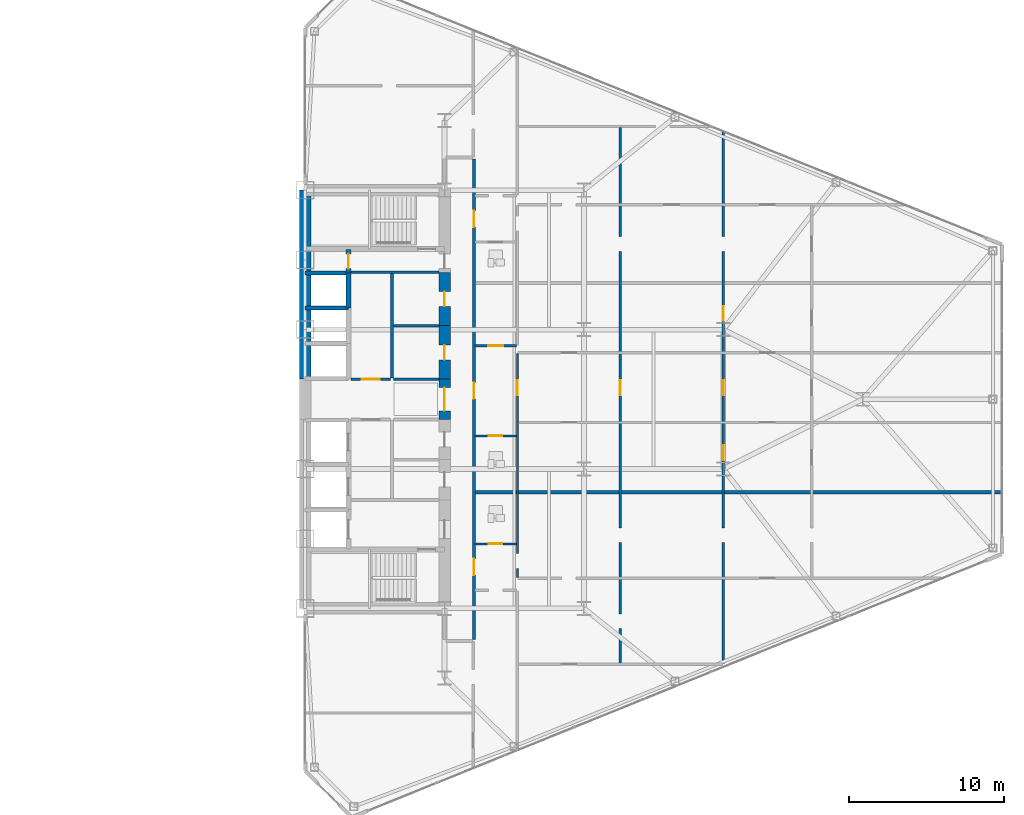
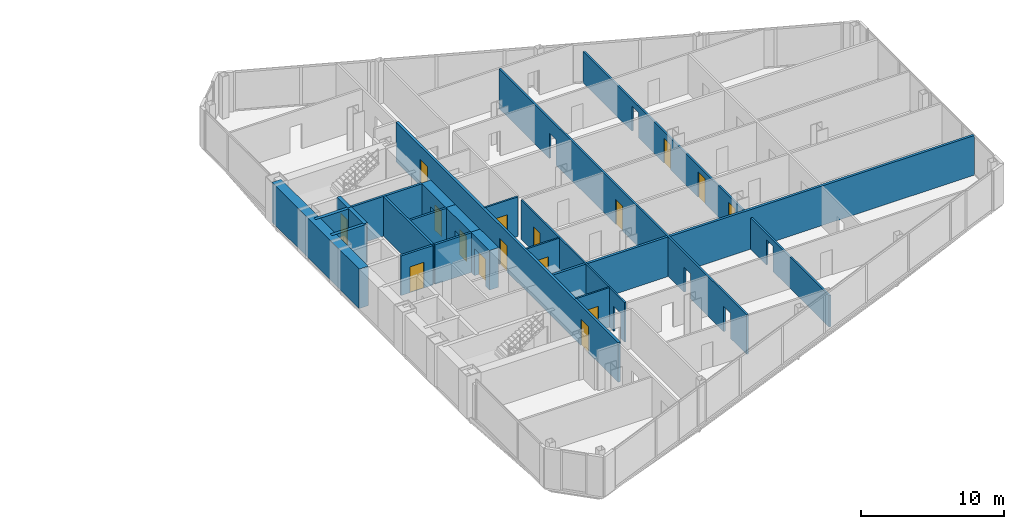
# One storey, part 21 of 25: 21 walls, 16 doors, 22 openings.
"""IFC4 building model written with IfcOpenShell, lengths in metres."""

from ifc_helpers import new_model, si_unit, direction, frame, frame_2d, origin, place, context, subcontext, project, spatial, rectangle, extrude, source, transform, mapped, material, layer, layer_set, type_object, type_shapes, element, fill, save


model = new_model("IFC4")

# Units and contexts
model_context = context("Model", 3, precision=1e-05, world=origin(), true_north=direction((0.0, 1.0)))
body_context = subcontext(model_context, "Body", "Model", "MODEL_VIEW")
ifc_project = project(units=[si_unit("LENGTHUNIT", "METRE"), si_unit("AREAUNIT", "SQUARE_METRE"), si_unit("VOLUMEUNIT", "CUBIC_METRE"), si_unit("PLANEANGLEUNIT", "RADIAN"), si_unit("MASSUNIT", "GRAM", prefix="KILO")], contexts=[model_context])

# Site, building, storey
site_placement = place(None, origin())
site = spatial("IfcSite", under=ifc_project, at=site_placement, CompositionType="ELEMENT")
building_placement = place(site_placement, origin())
building = spatial("IfcBuilding", under=site, at=building_placement, Name="Seokmaru Belvedere", CompositionType="ELEMENT")
storey_placement = place(building_placement, frame((0.0, 0.0, 26.10009765625)))
storey = spatial("IfcBuildingStorey", under=building, at=storey_placement, Name="L06", CompositionType="ELEMENT", Elevation=26.10009765625)

# Wall, opening, door
ifc_material_1 = material(Name="Fire-Rated Gypsum Shaftwall")
ifc_layer_1 = layer(ifc_material_1, 0.14990234375)
ifc_layer_set_1 = layer_set([ifc_layer_1], Name="Fire-Rated Gypsum Shaftwall")
wall_type_1 = type_object("IfcWallType", Name="Apartment Fire-Acoustic Room Partition 150", PredefinedType="PARTITIONING", material=ifc_layer_set_1)
wall_1_placement = place(storey_placement, frame((38.449951171875, 3.449951171875, 0.0), z_axis=(0.0, 0.0, 1.0), x_axis=(1.0, 0.0, 0.0)))
wall_1 = element("IfcWall", 1, at=wall_1_placement, inside=storey, type_object=wall_type_1, Name="L06 Interior Partition 022", PredefinedType="PARTITIONING", context=body_context, shape_type="SweptSolid", body=[
    extrude(rectangle(XDim=2.699951171875, YDim=0.14990234375, at=frame_2d((1.35009765625, 0.0))), origin(), (0.0, 0.0, 1.0), 3.3798828125),
])
opening_1_placement = place(wall_1_placement, frame((0.875, 0.0, 0.0)))
opening_1 = element("IfcOpeningElement", 2, at=opening_1_placement, cuts=wall_1, Name="Opening D05", PredefinedType="OPENING", context=body_context, shape_type="SweptSolid", body=[
    extrude(rectangle(XDim=0.949951171875, YDim=2.14990234375, at=frame_2d((0.47509765625, 1.074951171875))), frame((0.0, 0.0849609375, 0.0), z_axis=(0.0, -1.0, 0.0), x_axis=(1.0, 0.0, 0.0)), (0.0, 0.0, 1.0), 0.169921875),
])
ifc_material_2 = material(Name="Engineered White Oak Timber", Category="wood")
door_type_1 = type_object("IfcDoorType", Name="Apartment Interior Fire-Rated Oak Door 950x2150", OperationType="NOTDEFINED", PredefinedType="DOOR", material=ifc_material_2)
shared_shape_1 = source(origin(), body_context, "Body", "SweptSolid", [
    extrude(rectangle(XDim=0.949951171875, YDim=2.14990234375, at=frame_2d((0.47509765625, 1.074951171875))), frame((0.0, 0.02490234375, 0.0), z_axis=(0.0, -1.0, 0.0), x_axis=(1.0, 0.0, 0.0)), (0.0, 0.0, 1.0), 0.050048828125),
])
type_shapes(door_type_1, [shared_shape_1])
door_1_placement = place(opening_1_placement, origin())
door_1 = element("IfcDoor", 3, at=door_1_placement, inside=storey, type_object=door_type_1, Name="L06 Interior Door 053", OperationType="SINGLE_SWING_RIGHT", OverallHeight=2.14990234375, OverallWidth=0.949951171875, PredefinedType="DOOR", context=body_context, shape_type="MappedRepresentation", body=[
    mapped(shared_shape_1, transform((0.0, 0.0, 0.0), scale=1.0)),
])
fill(opening_1, door_1)

# Wall, openings, door
wall_2_placement = place(storey_placement, frame((47.85009765625, -17.06298828125, 0.0), z_axis=(0.0, 0.0, 1.0), x_axis=(0.0, 1.0, 0.0)))
wall_2 = element("IfcWall", 4, at=wall_2_placement, inside=storey, type_object=wall_type_1, Name="L06 Interior Partition 059", PredefinedType="PARTITIONING", context=body_context, shape_type="SweptSolid", body=[
    extrude(rectangle(XDim=34.6259765625, YDim=0.14990234375, at=frame_2d((17.31298828125, 0.0))), origin(), (0.0, 0.0, 1.0), 3.3798828125),
])
opening_2_placement = place(wall_2_placement, frame((7.809814453125, 0.0, 0.0)))
element("IfcOpeningElement", 5, at=opening_2_placement, cuts=wall_2, Name="L06 Cased Opening 043", PredefinedType="OPENING", context=body_context, shape_type="SweptSolid", body=[
    extrude(rectangle(XDim=0.949951171875, YDim=2.14990234375, at=frame_2d((0.47509765625, 1.074951171875))), frame((0.0, 0.0849609375, 0.0), z_axis=(0.0, -1.0, 0.0), x_axis=(1.0, 0.0, 0.0)), (0.0, 0.0, 1.0), 0.169921875),
])
opening_3_placement = place(wall_2_placement, frame((2.25341796875, 0.0, 0.0)))
element("IfcOpeningElement", 6, at=opening_3_placement, cuts=wall_2, Name="L06 Cased Opening 048", PredefinedType="OPENING", context=body_context, shape_type="SweptSolid", body=[
    extrude(rectangle(XDim=0.949951171875, YDim=2.14990234375, at=frame_2d((0.47509765625, 1.074951171875))), frame((0.0, 0.0849609375, 0.0), z_axis=(0.0, -1.0, 0.0), x_axis=(1.0, 0.0, 0.0)), (0.0, 0.0, 1.0), 0.169921875),
])
opening_4_placement = place(wall_2_placement, frame((17.337890625, 0.0, 0.0)))
opening_4 = element("IfcOpeningElement", 7, at=opening_4_placement, cuts=wall_2, Name="Opening D05", PredefinedType="OPENING", context=body_context, shape_type="SweptSolid", body=[
    extrude(rectangle(XDim=0.949951171875, YDim=2.14990234375, at=frame_2d((0.47509765625, 1.074951171875))), frame((0.0, 0.0849609375, 0.0), z_axis=(0.0, -1.0, 0.0), x_axis=(1.0, 0.0, 0.0)), (0.0, 0.0, 1.0), 0.169921875),
])
opening_5_placement = place(wall_2_placement, frame((26.6162109375, 0.0, 0.0)))
element("IfcOpeningElement", 8, at=opening_5_placement, cuts=wall_2, Name="L06 Cased Opening 070", PredefinedType="OPENING", context=body_context, shape_type="SweptSolid", body=[
    extrude(rectangle(XDim=0.949951171875, YDim=2.14990234375, at=frame_2d((0.47509765625, 1.074951171875))), frame((0.0, 0.0849609375, 0.0), z_axis=(0.0, -1.0, 0.0), x_axis=(1.0, 0.0, 0.0)), (0.0, 0.0, 1.0), 0.169921875),
])
door_2_placement = place(opening_4_placement, origin())
door_2 = element("IfcDoor", 9, at=door_2_placement, inside=storey, type_object=door_type_1, Name="L06 Interior Door 056", OperationType="SINGLE_SWING_LEFT", OverallHeight=2.14990234375, OverallWidth=0.949951171875, PredefinedType="DOOR", context=body_context, shape_type="MappedRepresentation", body=[
    mapped(shared_shape_1, transform((0.0, 0.0, 0.0), scale=1.0)),
])
fill(opening_4, door_2)

# Wall, openings, doors
wall_3_placement = place(storey_placement, frame((54.5, -17.06298828125, 0.0), z_axis=(0.0, 0.0, 1.0), x_axis=(0.0, 1.0, 0.0)))
wall_3 = element("IfcWall", 10, at=wall_3_placement, inside=storey, type_object=wall_type_1, Name="L06 Interior Partition 060", PredefinedType="PARTITIONING", context=body_context, shape_type="SweptSolid", body=[
    extrude(rectangle(XDim=34.384033203125, YDim=0.14990234375, at=frame_2d((17.19189453125, 0.0))), origin(), (0.0, 0.0, 1.0), 2.679931640625),
])
opening_6_placement = place(wall_3_placement, frame((7.809814453125, 0.0, 0.0)))
element("IfcOpeningElement", 11, at=opening_6_placement, cuts=wall_3, Name="L06 Cased Opening 044", PredefinedType="OPENING", context=body_context, shape_type="SweptSolid", body=[
    extrude(rectangle(XDim=0.949951171875, YDim=2.14990234375, at=frame_2d((0.47509765625, 1.074951171875))), frame((0.0, 0.0849609375, 0.0), z_axis=(0.0, -1.0, 0.0), x_axis=(1.0, 0.0, 0.0)), (0.0, 0.0, 1.0), 0.169921875),
])
opening_7_placement = place(wall_3_placement, frame((17.337890625, 0.0, 0.0)))
opening_7 = element("IfcOpeningElement", 12, at=opening_7_placement, cuts=wall_3, Name="Opening D05", PredefinedType="OPENING", context=body_context, shape_type="SweptSolid", body=[
    extrude(rectangle(XDim=0.949951171875, YDim=2.14990234375, at=frame_2d((0.47509765625, 1.074951171875))), frame((0.0, 0.0849609375, 0.0), z_axis=(0.0, -1.0, 0.0), x_axis=(1.0, 0.0, 0.0)), (0.0, 0.0, 1.0), 0.169921875),
])
opening_8_placement = place(wall_3_placement, frame((13.130859375, 0.0, 0.0)))
opening_8 = element("IfcOpeningElement", 13, at=opening_8_placement, cuts=wall_3, Name="Opening D05", PredefinedType="OPENING", context=body_context, shape_type="SweptSolid", body=[
    extrude(rectangle(XDim=0.949951171875, YDim=2.14990234375, at=frame_2d((0.47509765625, 1.074951171875))), frame((0.0, 0.0849609375, 0.0), z_axis=(0.0, -1.0, 0.0), x_axis=(1.0, 0.0, 0.0)), (0.0, 0.0, 1.0), 0.169921875),
])
opening_9_placement = place(wall_3_placement, frame((22.130859375, 0.0, 0.0)))
opening_9 = element("IfcOpeningElement", 14, at=opening_9_placement, cuts=wall_3, Name="Opening D05", PredefinedType="OPENING", context=body_context, shape_type="SweptSolid", body=[
    extrude(rectangle(XDim=0.949951171875, YDim=2.14990234375, at=frame_2d((0.47509765625, 1.074951171875))), frame((0.0, 0.0849609375, 0.0), z_axis=(0.0, -1.0, 0.0), x_axis=(1.0, 0.0, 0.0)), (0.0, 0.0, 1.0), 0.169921875),
])
opening_10_placement = place(wall_3_placement, frame((26.6162109375, 0.0, 0.0)))
element("IfcOpeningElement", 15, at=opening_10_placement, cuts=wall_3, Name="L06 Cased Opening 072", PredefinedType="OPENING", context=body_context, shape_type="SweptSolid", body=[
    extrude(rectangle(XDim=0.949951171875, YDim=2.14990234375, at=frame_2d((0.47509765625, 1.074951171875))), frame((0.0, 0.0849609375, 0.0), z_axis=(0.0, -1.0, 0.0), x_axis=(1.0, 0.0, 0.0)), (0.0, 0.0, 1.0), 0.169921875),
])
door_3_placement = place(opening_7_placement, origin())
door_3 = element("IfcDoor", 16, at=door_3_placement, inside=storey, type_object=door_type_1, Name="L06 Interior Door 058", OperationType="SINGLE_SWING_LEFT", OverallHeight=2.14990234375, OverallWidth=0.949951171875, PredefinedType="DOOR", context=body_context, shape_type="MappedRepresentation", body=[
    mapped(shared_shape_1, transform((0.0, 0.0, 0.0), scale=1.0)),
])
fill(opening_7, door_3)
door_4_placement = place(opening_8_placement, origin())
door_4 = element("IfcDoor", 17, at=door_4_placement, inside=storey, type_object=door_type_1, Name="L06 Interior Door 064", OperationType="SINGLE_SWING_LEFT", OverallHeight=2.14990234375, OverallWidth=0.949951171875, PredefinedType="DOOR", context=body_context, shape_type="MappedRepresentation", body=[
    mapped(shared_shape_1, transform((0.0, 0.0, 0.0), scale=1.0)),
])
fill(opening_8, door_4)
door_5_placement = place(opening_9_placement, origin())
door_5 = element("IfcDoor", 18, at=door_5_placement, inside=storey, type_object=door_type_1, Name="L06 Interior Door 065", OperationType="SINGLE_SWING_RIGHT", OverallHeight=2.14990234375, OverallWidth=0.949951171875, PredefinedType="DOOR", context=body_context, shape_type="MappedRepresentation", body=[
    mapped(shared_shape_1, transform((0.0, 0.0, 0.0), scale=1.0)),
])
fill(opening_9, door_5)

# Walls
ifc_layer_2 = layer(ifc_material_1, 0.179931640625)
ifc_layer_set_2 = layer_set([ifc_layer_2], Name="Fire-Rated Gypsum Shaftwall")
wall_type_2 = type_object("IfcWallType", Name="Core Service Fire Partition 180", PredefinedType="PARTITIONING", material=ifc_layer_set_2)
wall_4_placement = place(storey_placement, frame((30.449951171875, 8.199951171875, 0.0), z_axis=(0.0, 0.0, 1.0), x_axis=(1.0, 0.0, 0.0)))
element("IfcWall", 19, at=wall_4_placement, inside=storey, type_object=wall_type_2, Name="L06 East Smokeproof Vestibule Partition", PredefinedType="PARTITIONING", context=body_context, shape_type="SweptSolid", body=[
    extrude(rectangle(XDim=5.699951171875, YDim=0.179931640625, at=frame_2d((2.85009765625, 0.0))), origin(), (0.0, 0.0, 1.0), 3.3798828125),
])
wall_5_placement = place(storey_placement, frame((33.10009765625, 1.3798828125, 0.0), z_axis=(0.0, 0.0, 1.0), x_axis=(0.0, 1.0, 0.0)))
element("IfcWall", 20, at=wall_5_placement, inside=storey, type_object=wall_type_2, Name="L06 East North Core Service Back Wall", PredefinedType="PARTITIONING", context=body_context, shape_type="SweptSolid", body=[
    extrude(rectangle(XDim=6.740234375, YDim=0.179931640625, at=frame_2d((3.3701171875, 0.0))), origin(), (0.0, 0.0, 1.0), 3.3798828125),
])

# Wall, opening, door
wall_6_placement = place(storey_placement, frame((30.449951171875, 1.300048828125, 0.0), z_axis=(0.0, 0.0, 1.0), x_axis=(1.0, 0.0, 0.0)))
wall_6 = element("IfcWall", 21, at=wall_6_placement, inside=storey, type_object=wall_type_2, Name="L06 East North Lift Lobby Foyer Wall", PredefinedType="PARTITIONING", context=body_context, shape_type="SweptSolid", body=[
    extrude(rectangle(XDim=2.570068359375, YDim=0.179931640625, at=frame_2d((1.28515625, 0.0))), origin(), (0.0, 0.0, 1.0), 3.3798828125),
])
opening_11_placement = place(wall_6_placement, frame((0.7099609375, 0.0, 0.0)))
opening_11 = element("IfcOpeningElement", 22, at=opening_11_placement, cuts=wall_6, Name="Opening D02", PredefinedType="OPENING", context=body_context, shape_type="SweptSolid", body=[
    extrude(rectangle(XDim=1.14990234375, YDim=2.199951171875, at=frame_2d((0.574951171875, 1.10009765625))), frame((0.0, 0.10009765625, 0.0), z_axis=(0.0, -1.0, 0.0), x_axis=(1.0, 0.0, 0.0)), (0.0, 0.0, 1.0), 0.199951171875),
])
ifc_material_3 = material(Name="Fire-Rated Steel Leaf", Category="steel")
door_type_2 = type_object("IfcDoorType", Name="Lobby and Vestibule Fire Door 1150x2200", OperationType="NOTDEFINED", PredefinedType="DOOR", material=ifc_material_3)
shared_shape_2 = source(origin(), body_context, "Body", "SweptSolid", [
    extrude(rectangle(XDim=1.14990234375, YDim=2.199951171875, at=frame_2d((0.574951171875, 1.10009765625))), frame((0.0, 0.02490234375, 0.0), z_axis=(0.0, -1.0, 0.0), x_axis=(1.0, 0.0, 0.0)), (0.0, 0.0, 1.0), 0.050048828125),
])
type_shapes(door_type_2, [shared_shape_2])
door_6_placement = place(opening_11_placement, origin())
door_6 = element("IfcDoor", 23, at=door_6_placement, inside=storey, type_object=door_type_2, Name="L06 East North Lift Lobby Door", OperationType="SINGLE_SWING_LEFT", OverallHeight=2.199951171875, OverallWidth=1.14990234375, PredefinedType="DOOR", context=body_context, shape_type="MappedRepresentation", body=[
    mapped(shared_shape_2, transform((0.0, 0.0, 0.0), scale=1.0)),
])
fill(opening_11, door_6)

# Walls
for number, where, z_axis, x_axis, name in (
    (24, (33.199951171875, 1.300048828125, 0.0), (0.0, 0.0, 1.0), (1.0, 0.0, 0.0), "L06 East Foyer Side Wall N"),
    (25, (33.199951171875, 4.75, 0.0), (0.0, 0.0, 1.0), (1.0, 0.0, 0.0), "L06 East Core Service Partition 2"),
):
    element("IfcWall", number, at=place(storey_placement, frame(where, z_axis=z_axis, x_axis=x_axis)), inside=storey, type_object=wall_type_2, Name=name, PredefinedType="PARTITIONING", context=body_context, shape_type="SweptSolid", body=[
        extrude(rectangle(XDim=2.949951171875, YDim=0.179931640625, at=frame_2d((1.47509765625, 0.0))), origin(), (0.0, 0.0, 1.0), 3.3798828125),
    ])
ifc_material_4 = material(Name="Concrete C50 (50 MPa)", Category="concrete")
ifc_layer_3 = layer(ifc_material_4, 0.25)
ifc_layer_set_3 = layer_set([ifc_layer_3], Name="Concrete C50 (50 MPa)")
wall_type_3 = type_object("IfcWallType", Name="Hoistway Transverse Concrete Divider Wall 250", PredefinedType="SHEAR", material=ifc_layer_set_3)
for number, where, z_axis, x_axis, name in (
    (26, (27.5, 5.89990234375, 0.0), (0.0, 0.0, 1.0), (1.0, 0.0, 0.0), "L06 East Hoistway Divider Core Wall 6"),
    (27, (27.5, 8.14990234375, 0.0), (0.0, 0.0, 1.0), (1.0, 0.0, 0.0), "L06 East Hoistway Divider Core Wall 7"),
):
    element("IfcWall", number, at=place(storey_placement, frame(where, z_axis=z_axis, x_axis=x_axis)), inside=storey, type_object=wall_type_3, Name=name, PredefinedType="SHEAR", context=body_context, shape_type="SweptSolid", body=[
        extrude(rectangle(XDim=2.800048828125, YDim=0.25, at=frame_2d((1.39990234375, 0.0))), origin(), (0.0, 0.0, 1.0), 3.3798828125),
    ])
ifc_layer_4 = layer(ifc_material_1, 0.199951171875)
ifc_layer_set_4 = layer_set([ifc_layer_4], Name="Fire-Rated Gypsum Shaftwall")
wall_type_4 = type_object("IfcWallType", Name="Inter-Tenancy Fire Compartment Partition 200", PredefinedType="PARTITIONING", material=ifc_layer_set_4)
wall_7_placement = place(storey_placement, frame((38.47998046875, -6.0, 0.0), z_axis=(0.0, 0.0, 1.0), x_axis=(1.0, 0.0, 0.0)))
element("IfcWall", 28, at=wall_7_placement, inside=storey, type_object=wall_type_4, Name="L06 Interior Partition 015", PredefinedType="PARTITIONING", context=body_context, shape_type="SweptSolid", body=[
    extrude(rectangle(XDim=34.02490234375, YDim=0.199951171875, at=frame_2d((17.012451171875, 0.0))), origin(), (0.0, 0.0, 1.0), 3.3798828125),
])

# Wall, openings, doors
wall_8_placement = place(storey_placement, frame((38.39990234375, -15.514892578125, 0.0), z_axis=(0.0, 0.0, 1.0), x_axis=(0.0, 1.0, 0.0)))
wall_8 = element("IfcWall", 29, at=wall_8_placement, inside=storey, type_object=wall_type_4, Name="L06 Interior Partition 054", PredefinedType="PARTITIONING", context=body_context, shape_type="SweptSolid", body=[
    extrude(rectangle(XDim=31.02978515625, YDim=0.199951171875, at=frame_2d((15.514892578125, 0.0))), origin(), (0.0, 0.0, 1.0), 3.3798828125),
])
opening_12_placement = place(wall_8_placement, frame((4.16259765625, 0.0, 0.0)))
opening_12 = element("IfcOpeningElement", 30, at=opening_12_placement, cuts=wall_8, Name="Opening D03", PredefinedType="OPENING", context=body_context, shape_type="SweptSolid", body=[
    extrude(rectangle(XDim=1.050048828125, YDim=2.25, at=frame_2d((0.52490234375, 1.125))), frame((0.0, 0.10986328125, 0.0), z_axis=(0.0, -1.0, 0.0), x_axis=(1.0, 0.0, 0.0)), (0.0, 0.0, 1.0), 0.219970703125),
])
opening_13_placement = place(wall_8_placement, frame((15.53759765625, 0.0, 0.0)))
opening_13 = element("IfcOpeningElement", 31, at=opening_13_placement, cuts=wall_8, Name="Opening D03", PredefinedType="OPENING", context=body_context, shape_type="SweptSolid", body=[
    extrude(rectangle(XDim=1.050048828125, YDim=2.25, at=frame_2d((0.52490234375, 1.125))), frame((0.0, 0.10986328125, 0.0), z_axis=(0.0, -1.0, 0.0), x_axis=(1.0, 0.0, 0.0)), (0.0, 0.0, 1.0), 0.219970703125),
])
opening_14_placement = place(wall_8_placement, frame((26.635009765625, 0.0, 0.0)))
opening_14 = element("IfcOpeningElement", 32, at=opening_14_placement, cuts=wall_8, Name="Opening D03", PredefinedType="OPENING", context=body_context, shape_type="SweptSolid", body=[
    extrude(rectangle(XDim=1.050048828125, YDim=2.25, at=frame_2d((0.52490234375, 1.125))), frame((0.0, 0.10986328125, 0.0), z_axis=(0.0, -1.0, 0.0), x_axis=(1.0, 0.0, 0.0)), (0.0, 0.0, 1.0), 0.219970703125),
])
door_type_3 = type_object("IfcDoorType", Name="Apartment Entrance Fire Door 1050x2250", OperationType="NOTDEFINED", PredefinedType="DOOR", material=ifc_material_3)
shared_shape_3 = source(origin(), body_context, "Body", "SweptSolid", [
    extrude(rectangle(XDim=1.050048828125, YDim=2.25, at=frame_2d((0.52490234375, 1.125))), frame((0.0, 0.02490234375, 0.0), z_axis=(0.0, -1.0, 0.0), x_axis=(1.0, 0.0, 0.0)), (0.0, 0.0, 1.0), 0.050048828125),
])
type_shapes(door_type_3, [shared_shape_3])
door_7_placement = place(opening_12_placement, origin())
door_7 = element("IfcDoor", 33, at=door_7_placement, inside=storey, type_object=door_type_3, Name="L06 Interior Door 038", OperationType="SINGLE_SWING_LEFT", OverallHeight=2.25, OverallWidth=1.050048828125, PredefinedType="DOOR", context=body_context, shape_type="MappedRepresentation", body=[
    mapped(shared_shape_3, transform((0.0, 0.0, 0.0), scale=1.0)),
])
fill(opening_12, door_7)
door_8_placement = place(opening_13_placement, origin())
door_8 = element("IfcDoor", 34, at=door_8_placement, inside=storey, type_object=door_type_3, Name="L06 Interior Door 051", OperationType="SINGLE_SWING_RIGHT", OverallHeight=2.25, OverallWidth=1.050048828125, PredefinedType="DOOR", context=body_context, shape_type="MappedRepresentation", body=[
    mapped(shared_shape_3, transform((0.0, 0.0, 0.0), scale=1.0)),
])
fill(opening_13, door_8)
door_9_placement = place(opening_14_placement, origin())
door_9 = element("IfcDoor", 35, at=door_9_placement, inside=storey, type_object=door_type_3, Name="L06 Interior Door 066", OperationType="SINGLE_SWING_LEFT", OverallHeight=2.25, OverallWidth=1.050048828125, PredefinedType="DOOR", context=body_context, shape_type="MappedRepresentation", body=[
    mapped(shared_shape_3, transform((0.0, 0.0, 0.0), scale=1.0)),
])
fill(opening_14, door_9)

# Wall
ifc_layer_5 = layer(ifc_material_4, 0.300048828125)
ifc_layer_set_5 = layer_set([ifc_layer_5], Name="Concrete C50 (50 MPa)")
wall_type_5 = type_object("IfcWallType", Name="Internal Core Stair and Hoistway Wall 300", PredefinedType="SHEAR", material=ifc_layer_set_5)
wall_9_placement = place(storey_placement, frame((30.300048828125, 5.89990234375, 0.0), z_axis=(0.0, 0.0, 1.0), x_axis=(0.0, 1.0, 0.0)))
element("IfcWall", 36, at=wall_9_placement, inside=storey, type_object=wall_type_5, Name="L06 East North Hoistway Wall OBS", PredefinedType="SHEAR", context=body_context, shape_type="SweptSolid", body=[
    extrude(rectangle(XDim=2.25, YDim=0.300048828125, at=frame_2d((1.125, 0.0))), origin(), (0.0, 0.0, 1.0), 3.3798828125),
])

# Wall, opening, door
wall_10_placement = place(storey_placement, frame((30.300048828125, 8.14990234375, 0.0), z_axis=(0.0, 0.0, 1.0), x_axis=(0.0, 1.0, 0.0)))
wall_10 = element("IfcWall", 37, at=wall_10_placement, inside=storey, type_object=wall_type_5, Name="L06 East Electrical Riser Front Wall", PredefinedType="SHEAR", context=body_context, shape_type="SweptSolid", body=[
    extrude(rectangle(XDim=1.530029296875, YDim=0.300048828125, at=frame_2d((0.76513671875, 0.0))), origin(), (0.0, 0.0, 1.0), 3.3798828125),
])
opening_15_placement = place(wall_10_placement, frame((0.284912109375, 0.0, 0.0)))
opening_15 = element("IfcOpeningElement", 38, at=opening_15_placement, cuts=wall_10, Name="Opening D04", PredefinedType="OPENING", context=body_context, shape_type="SweptSolid", body=[
    extrude(rectangle(XDim=0.949951171875, YDim=2.14990234375, at=frame_2d((0.47509765625, 1.074951171875))), frame((0.0, 0.16015625, 0.0), z_axis=(0.0, -1.0, 0.0), x_axis=(1.0, 0.0, 0.0)), (0.0, 0.0, 1.0), 0.320068359375),
])
door_type_4 = type_object("IfcDoorType", Name="Core Service Room Fire Door 950x2150", OperationType="NOTDEFINED", PredefinedType="DOOR", material=ifc_material_3)
shared_shape_4 = source(origin(), body_context, "Body", "SweptSolid", [
    extrude(rectangle(XDim=0.949951171875, YDim=2.14990234375, at=frame_2d((0.47509765625, 1.074951171875))), frame((0.0, 0.02490234375, 0.0), z_axis=(0.0, -1.0, 0.0), x_axis=(1.0, 0.0, 0.0)), (0.0, 0.0, 1.0), 0.050048828125),
])
type_shapes(door_type_4, [shared_shape_4])
door_10_placement = place(opening_15_placement, origin())
door_10 = element("IfcDoor", 39, at=door_10_placement, inside=storey, type_object=door_type_4, Name="L06 East Electrical Riser Access Door", OperationType="SINGLE_SWING_RIGHT", OverallHeight=2.14990234375, OverallWidth=0.949951171875, PredefinedType="DOOR", context=body_context, shape_type="MappedRepresentation", body=[
    mapped(shared_shape_4, transform((0.0, 0.0, 0.0), scale=1.0)),
])
fill(opening_15, door_10)

# Wall
ifc_material_5 = material(Name="Concrete C60 (60 MPa)", Category="concrete")
ifc_layer_6 = layer(ifc_material_5, 0.75)
ifc_layer_set_6 = layer_set([ifc_layer_6], Name="Concrete C60 (60 MPa)")
wall_type_6 = type_object("IfcWallType", Name="Lower Tower Reinforced Concrete Core Wall 750", PredefinedType="SHEAR", material=ifc_layer_set_6)
wall_11_placement = place(storey_placement, frame((27.5, 1.300048828125, 0.0), z_axis=(0.0, 0.0, 1.0), x_axis=(0.0, 1.0, 0.0)))
element("IfcWall", 40, at=wall_11_placement, inside=storey, type_object=wall_type_6, Name="L06 East Portal Spine Core Wall North", PredefinedType="SHEAR", context=body_context, shape_type="SweptSolid", body=[
    extrude(rectangle(XDim=12.199951171875, YDim=0.75, at=frame_2d((6.10009765625, 0.0))), origin(), (0.0, 0.0, 1.0), 3.3798828125),
])

# Wall, opening, door
wall_12_placement = place(storey_placement, frame((36.5, -1.300048828125, 0.0), z_axis=(0.0, 0.0, 1.0), x_axis=(0.0, 1.0, 0.0)))
wall_12 = element("IfcWall", 41, at=wall_12_placement, inside=storey, type_object=wall_type_6, Name="L06 East West Core Wall FOY", PredefinedType="SHEAR", context=body_context, shape_type="SweptSolid", body=[
    extrude(rectangle(XDim=2.60009765625, YDim=0.75, at=frame_2d((1.300048828125, 0.0))), origin(), (0.0, 0.0, 1.0), 3.3798828125),
])
opening_16_placement = place(wall_12_placement, frame((0.550048828125, 0.0, 0.0)))
opening_16 = element("IfcOpeningElement", 42, at=opening_16_placement, cuts=wall_12, Name="Opening D08", PredefinedType="OPENING", context=body_context, shape_type="SweptSolid", body=[
    extrude(rectangle(XDim=1.5, YDim=2.300048828125, at=frame_2d((0.75, 1.14990234375))), frame((0.0, 0.385009765625, 0.0), z_axis=(0.0, -1.0, 0.0), x_axis=(1.0, 0.0, 0.0)), (0.0, 0.0, 1.0), 0.77001953125),
])
door_type_5 = type_object("IfcDoorType", Name="Cross-Corridor Compartment Double Fire Door 1500x2300", OperationType="DOUBLE_SWING_LEFT", PredefinedType="DOOR", material=ifc_material_3)
shared_shape_5 = source(origin(), body_context, "Body", "SweptSolid", [
    extrude(rectangle(XDim=1.5, YDim=2.300048828125, at=frame_2d((0.75, 1.14990234375))), frame((0.0, 0.02490234375, 0.0), z_axis=(0.0, -1.0, 0.0), x_axis=(1.0, 0.0, 0.0)), (0.0, 0.0, 1.0), 0.050048828125),
])
type_shapes(door_type_5, [shared_shape_5])
door_11_placement = place(opening_16_placement, origin())
door_11 = element("IfcDoor", 43, at=door_11_placement, inside=storey, type_object=door_type_5, Name="L06 East Core Foyer Compartment Door", OperationType="DOUBLE_SWING_LEFT", OverallHeight=2.300048828125, OverallWidth=1.5, PredefinedType="DOOR", context=body_context, shape_type="MappedRepresentation", body=[
    mapped(shared_shape_5, transform((0.0, 0.0, 0.0), scale=1.0)),
])
fill(opening_16, door_11)

wall_13_placement = place(storey_placement, frame((36.5, 1.300048828125, 0.0), z_axis=(0.0, 0.0, 1.0), x_axis=(0.0, 1.0, 0.0)))
wall_13 = element("IfcWall", 44, at=wall_13_placement, inside=storey, type_object=wall_type_6, Name="L06 East West Core Wall CS3", PredefinedType="SHEAR", context=body_context, shape_type="SweptSolid", body=[
    extrude(rectangle(XDim=3.449951171875, YDim=0.75, at=frame_2d((1.72509765625, 0.0))), origin(), (0.0, 0.0, 1.0), 3.3798828125),
])
opening_17_placement = place(wall_13_placement, frame((1.25, 0.0, 0.0)))
opening_17 = element("IfcOpeningElement", 45, at=opening_17_placement, cuts=wall_13, Name="Opening D04", PredefinedType="OPENING", context=body_context, shape_type="SweptSolid", body=[
    extrude(rectangle(XDim=0.949951171875, YDim=2.14990234375, at=frame_2d((0.47509765625, 1.074951171875))), frame((0.0, 0.385009765625, 0.0), z_axis=(0.0, -1.0, 0.0), x_axis=(1.0, 0.0, 0.0)), (0.0, 0.0, 1.0), 0.77001953125),
])
door_12_placement = place(opening_17_placement, origin())
door_12 = element("IfcDoor", 46, at=door_12_placement, inside=storey, type_object=door_type_4, Name="L06 East Core Service Room Door 3", OperationType="SINGLE_SWING_RIGHT", OverallHeight=2.14990234375, OverallWidth=0.949951171875, PredefinedType="DOOR", context=body_context, shape_type="MappedRepresentation", body=[
    mapped(shared_shape_4, transform((0.0, 0.0, 0.0), scale=1.0)),
])
fill(opening_17, door_12)

wall_14_placement = place(storey_placement, frame((36.5, 4.75, 0.0), z_axis=(0.0, 0.0, 1.0), x_axis=(0.0, 1.0, 0.0)))
wall_14 = element("IfcWall", 47, at=wall_14_placement, inside=storey, type_object=wall_type_6, Name="L06 East West Core Wall CS4", PredefinedType="SHEAR", context=body_context, shape_type="SweptSolid", body=[
    extrude(rectangle(XDim=3.449951171875, YDim=0.75, at=frame_2d((1.72509765625, 0.0))), origin(), (0.0, 0.0, 1.0), 3.3798828125),
])
opening_18_placement = place(wall_14_placement, frame((1.25, 0.0, 0.0)))
opening_18 = element("IfcOpeningElement", 48, at=opening_18_placement, cuts=wall_14, Name="Opening D04", PredefinedType="OPENING", context=body_context, shape_type="SweptSolid", body=[
    extrude(rectangle(XDim=0.949951171875, YDim=2.14990234375, at=frame_2d((0.47509765625, 1.074951171875))), frame((0.0, 0.385009765625, 0.0), z_axis=(0.0, -1.0, 0.0), x_axis=(1.0, 0.0, 0.0)), (0.0, 0.0, 1.0), 0.77001953125),
])
door_13_placement = place(opening_18_placement, origin())
door_13 = element("IfcDoor", 49, at=door_13_placement, inside=storey, type_object=door_type_4, Name="L06 East Core Service Room Door 4", OperationType="SINGLE_SWING_LEFT", OverallHeight=2.14990234375, OverallWidth=0.949951171875, PredefinedType="DOOR", context=body_context, shape_type="MappedRepresentation", body=[
    mapped(shared_shape_4, transform((0.0, 0.0, 0.0), scale=1.0)),
])
fill(opening_18, door_13)

ifc_layer_7 = layer(ifc_material_1, 0.1298828125)
ifc_layer_set_7 = layer_set([ifc_layer_7], Name="Fire-Rated Gypsum Shaftwall")
wall_type_7 = type_object("IfcWallType", Name="Moisture-Resistant Fire-Rated Bathroom Partition 130", PredefinedType="PARTITIONING", material=ifc_layer_set_7)
wall_15_placement = place(storey_placement, frame((38.449951171875, -9.330078125, 0.0), z_axis=(0.0, 0.0, 1.0), x_axis=(1.0, 0.0, 0.0)))
wall_15 = element("IfcWall", 50, at=wall_15_placement, inside=storey, type_object=wall_type_7, Name="L06 Interior Partition 012", PredefinedType="PARTITIONING", context=body_context, shape_type="SweptSolid", body=[
    extrude(rectangle(XDim=2.699951171875, YDim=0.1298828125, at=frame_2d((1.35009765625, 0.0))), origin(), (0.0, 0.0, 1.0), 3.3798828125),
])
opening_19_placement = place(wall_15_placement, frame((0.909912109375, 0.0, 0.0)))
opening_19 = element("IfcOpeningElement", 51, at=opening_19_placement, cuts=wall_15, Name="Opening D06", PredefinedType="OPENING", context=body_context, shape_type="SweptSolid", body=[
    extrude(rectangle(XDim=0.8798828125, YDim=2.10009765625, at=frame_2d((0.43994140625, 1.050048828125))), frame((0.0, 0.074951171875, 0.0), z_axis=(0.0, -1.0, 0.0), x_axis=(1.0, 0.0, 0.0)), (0.0, 0.0, 1.0), 0.14990234375),
])
door_type_6 = type_object("IfcDoorType", Name="Bathroom and Restroom Fire-Rated Door 880x2100", OperationType="NOTDEFINED", PredefinedType="DOOR", material=ifc_material_2)
shared_shape_6 = source(origin(), body_context, "Body", "SweptSolid", [
    extrude(rectangle(XDim=0.8798828125, YDim=2.10009765625, at=frame_2d((0.43994140625, 1.050048828125))), frame((0.0, 0.02490234375, 0.0), z_axis=(0.0, -1.0, 0.0), x_axis=(1.0, 0.0, 0.0)), (0.0, 0.0, 1.0), 0.050048828125),
])
type_shapes(door_type_6, [shared_shape_6])
door_14_placement = place(opening_19_placement, origin())
door_14 = element("IfcDoor", 52, at=door_14_placement, inside=storey, type_object=door_type_6, Name="L06 Interior Door 039", OperationType="SINGLE_SWING_RIGHT", OverallHeight=2.10009765625, OverallWidth=0.8798828125, PredefinedType="DOOR", context=body_context, shape_type="MappedRepresentation", body=[
    mapped(shared_shape_6, transform((0.0, 0.0, 0.0), scale=1.0)),
])
fill(opening_19, door_14)

wall_16_placement = place(storey_placement, frame((38.449951171875, -2.360107421875, 0.0), z_axis=(0.0, 0.0, 1.0), x_axis=(1.0, 0.0, 0.0)))
wall_16 = element("IfcWall", 53, at=wall_16_placement, inside=storey, type_object=wall_type_7, Name="L06 Interior Partition 017", PredefinedType="PARTITIONING", context=body_context, shape_type="SweptSolid", body=[
    extrude(rectangle(XDim=2.699951171875, YDim=0.1298828125, at=frame_2d((1.35009765625, 0.0))), origin(), (0.0, 0.0, 1.0), 3.3798828125),
])
opening_20_placement = place(wall_16_placement, frame((0.909912109375, 0.0, 0.0)))
opening_20 = element("IfcOpeningElement", 54, at=opening_20_placement, cuts=wall_16, Name="Opening D06", PredefinedType="OPENING", context=body_context, shape_type="SweptSolid", body=[
    extrude(rectangle(XDim=0.8798828125, YDim=2.10009765625, at=frame_2d((0.43994140625, 1.050048828125))), frame((0.0, 0.074951171875, 0.0), z_axis=(0.0, -1.0, 0.0), x_axis=(1.0, 0.0, 0.0)), (0.0, 0.0, 1.0), 0.14990234375),
])
door_15_placement = place(opening_20_placement, origin())
door_15 = element("IfcDoor", 55, at=door_15_placement, inside=storey, type_object=door_type_6, Name="L06 Interior Door 052", OperationType="SINGLE_SWING_RIGHT", OverallHeight=2.10009765625, OverallWidth=0.8798828125, PredefinedType="DOOR", context=body_context, shape_type="MappedRepresentation", body=[
    mapped(shared_shape_6, transform((0.0, 0.0, 0.0), scale=1.0)),
])
fill(opening_20, door_15)

# Wall, openings, door
wall_17_placement = place(storey_placement, frame((41.199951171875, -11.506103515625, 0.0), z_axis=(0.0, 0.0, 1.0), x_axis=(0.0, 1.0, 0.0)))
wall_17 = element("IfcWall", 56, at=wall_17_placement, inside=storey, type_object=wall_type_7, Name="L06 Interior Partition 056", PredefinedType="PARTITIONING", context=body_context, shape_type="SweptSolid", body=[
    extrude(rectangle(XDim=14.4560546875, YDim=0.1298828125, at=frame_2d((7.22802734375, 0.0))), origin(), (0.0, 0.0, 1.0), 3.3798828125),
])
opening_21_placement = place(wall_17_placement, frame((0.589111328125, 0.0, 0.0)))
element("IfcOpeningElement", 57, at=opening_21_placement, cuts=wall_17, Name="L06 Cased Opening 041", PredefinedType="OPENING", context=body_context, shape_type="SweptSolid", body=[
    extrude(rectangle(XDim=0.949951171875, YDim=2.14990234375, at=frame_2d((0.47509765625, 1.074951171875))), frame((0.0, 0.074951171875, 0.0), z_axis=(0.0, -1.0, 0.0), x_axis=(1.0, 0.0, 0.0)), (0.0, 0.0, 1.0), 0.14990234375),
])
opening_22_placement = place(wall_17_placement, frame((11.781005859375, 0.0, 0.0)))
opening_22 = element("IfcOpeningElement", 58, at=opening_22_placement, cuts=wall_17, Name="Opening D05", PredefinedType="OPENING", context=body_context, shape_type="SweptSolid", body=[
    extrude(rectangle(XDim=0.949951171875, YDim=2.14990234375, at=frame_2d((0.47509765625, 1.074951171875))), frame((0.0, 0.074951171875, 0.0), z_axis=(0.0, -1.0, 0.0), x_axis=(1.0, 0.0, 0.0)), (0.0, 0.0, 1.0), 0.14990234375),
])
door_16_placement = place(opening_22_placement, origin())
door_16 = element("IfcDoor", 59, at=door_16_placement, inside=storey, type_object=door_type_1, Name="L06 Interior Door 054", OperationType="SINGLE_SWING_LEFT", OverallHeight=2.14990234375, OverallWidth=0.949951171875, PredefinedType="DOOR", context=body_context, shape_type="MappedRepresentation", body=[
    mapped(shared_shape_1, transform((0.0, 0.0, 0.0), scale=1.0)),
])
fill(opening_22, door_16)

save(model, "model.ifc")
